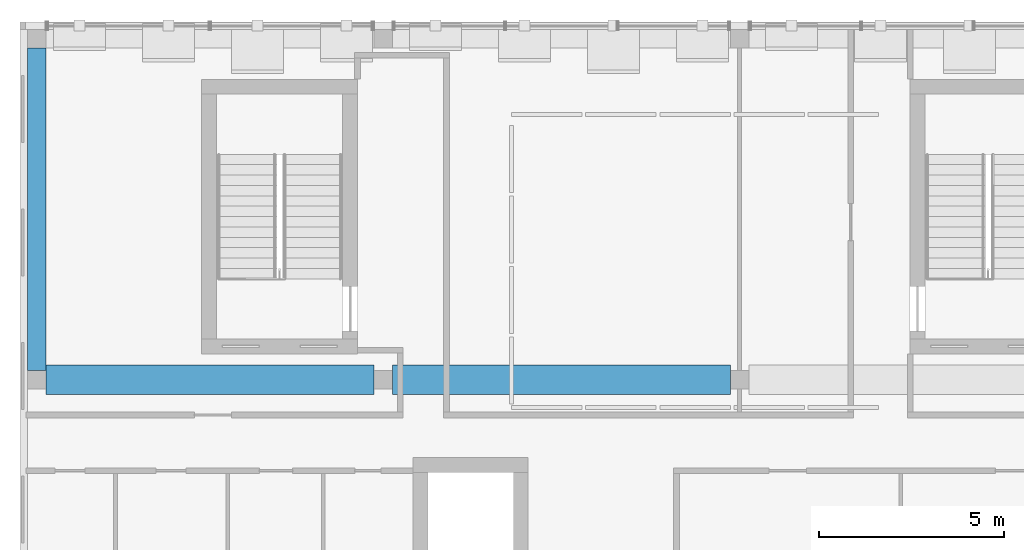
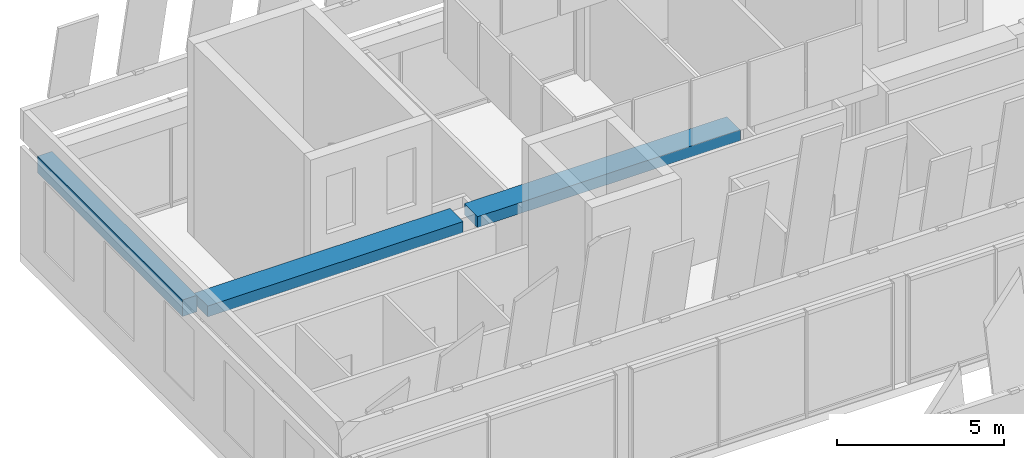
# One storey, part 11 of 26: 3 beams.
"""IFC4 building model written with IfcOpenShell, lengths in metres."""

from ifc_helpers import new_model, si_unit, direction, frame, origin, origin_2d, place, context, subcontext, project, spatial, rectangle, extrude, material, material_profile, profile_set, type_object, element, save


model = new_model("IFC4")

# Units and contexts
model_context = context("Model", 3, precision=1e-05, world=origin(), true_north=direction((0.0, 1.0)))
body_context = subcontext(model_context, "Body", "Model", "MODEL_VIEW")
ifc_project = project(units=[si_unit("LENGTHUNIT", "METRE"), si_unit("AREAUNIT", "SQUARE_METRE"), si_unit("VOLUMEUNIT", "CUBIC_METRE"), si_unit("PLANEANGLEUNIT", "RADIAN"), si_unit("MASSUNIT", "GRAM", prefix="KILO")], contexts=[model_context])

# Site, building, storey
site_placement = place(None, origin())
site = spatial("IfcSite", under=ifc_project, at=site_placement, CompositionType="ELEMENT")
building_placement = place(site_placement, origin())
building = spatial("IfcBuilding", under=site, at=building_placement, Name="Nzadi Deep Aquarium and Research Tower", CompositionType="ELEMENT")
storey_placement = place(building_placement, frame((0.0, 0.0, 78.10009765625)))
storey = spatial("IfcBuildingStorey", under=building, at=storey_placement, Name="L16", CompositionType="ELEMENT", Elevation=78.10009765625)

# Beams
ifc_material_1 = material(Name="Concrete C35/45", Category="concrete")
ifc_material_profile_1 = material_profile(ifc_material_1, rectangle(XDim=0.5, YDim=0.60009765625, at=origin_2d()))
ifc_profile_set_1 = profile_set([ifc_material_profile_1], Name="Concrete C35/45")
beam_type_1 = type_object("IfcBeamType", Name="RC 500x600", PredefinedType="BEAM", material=ifc_profile_set_1)
beam_1_placement = place(storey_placement, frame((0.25, 37.050048828125, 3.599853515625), z_axis=(0.0, 1.0, 0.0), x_axis=(-1.0, 0.0, 0.0)))
element("IfcBeam", 1, at=beam_1_placement, inside=storey, type_object=beam_type_1, Name="B-Z1-L16-CA-2-4", PredefinedType="BEAM", context=body_context, shape_type="SweptSolid", body=[
    extrude(rectangle(XDim=0.5, YDim=0.60009765625, at=origin_2d()), origin(), (0.0, 0.0, 1.0), 8.699951171875),
])
ifc_material_2 = material(Name="Concrete C35/45", Category="concrete")
ifc_material_profile_2 = material_profile(ifc_material_2, rectangle(XDim=0.800048828125, YDim=0.39990234375, at=origin_2d()))
ifc_profile_set_2 = profile_set([ifc_material_profile_2], Name="Concrete C35/45")
beam_type_2 = type_object("IfcBeamType", Name="RC 800x400", PredefinedType="BEAM", material=ifc_profile_set_2)
beam_2_placement = place(storey_placement, frame((0.5, 36.800048828125, 3.699951171875), z_axis=(1.0, 0.0, 0.0), x_axis=(0.0, 1.0, 0.0)))
element("IfcBeam", 2, at=beam_2_placement, inside=storey, type_object=beam_type_2, Name="B-Z1-L16-L5-1", PredefinedType="BEAM", context=body_context, shape_type="SweptSolid", body=[
    extrude(rectangle(XDim=0.800048828125, YDim=0.39990234375, at=origin_2d()), origin(), (0.0, 0.0, 1.0), 8.85009765625),
])
beam_3_placement = place(storey_placement, frame((9.85009765625, 36.800048828125, 3.699951171875), z_axis=(1.0, 0.0, 0.0), x_axis=(0.0, 1.0, 0.0)))
element("IfcBeam", 3, at=beam_3_placement, inside=storey, type_object=beam_type_2, Name="B-Z1-L16-L5-2", PredefinedType="BEAM", context=body_context, shape_type="SweptSolid", body=[
    extrude(rectangle(XDim=0.800048828125, YDim=0.39990234375, at=origin_2d()), origin(), (0.0, 0.0, 1.0), 9.099853515625),
])

save(model, "model.ifc")
